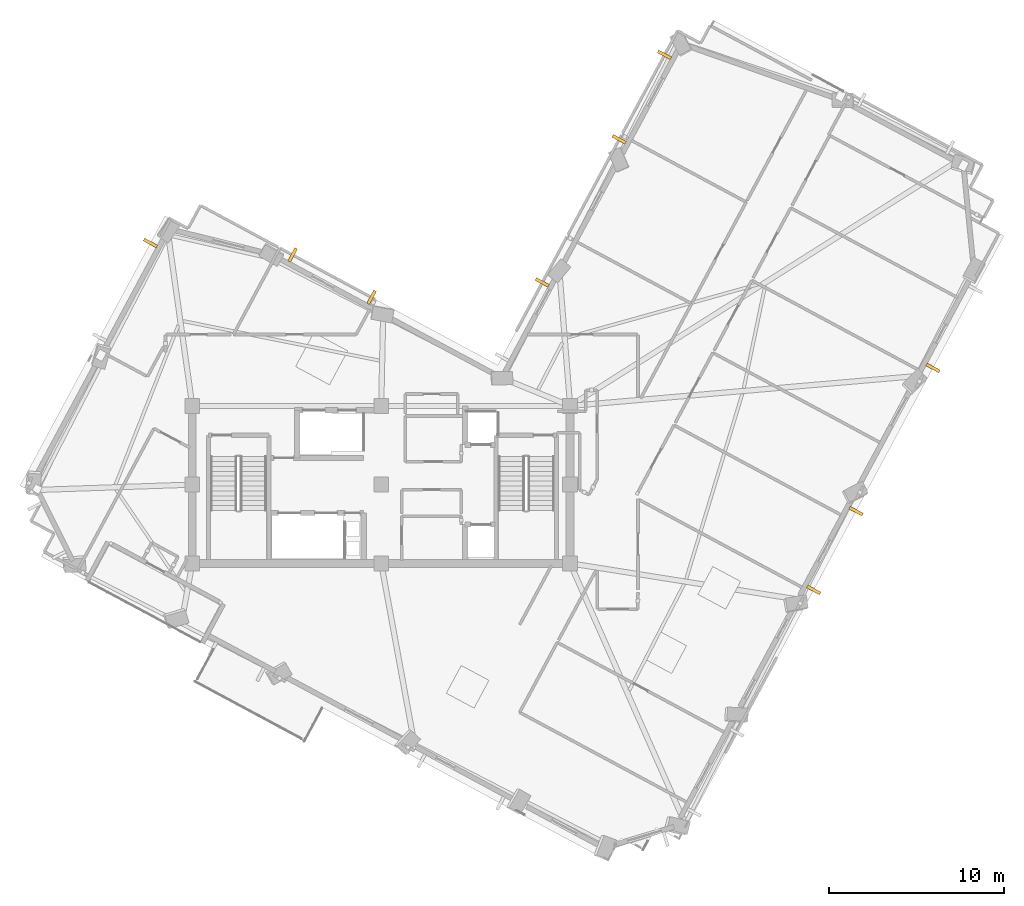
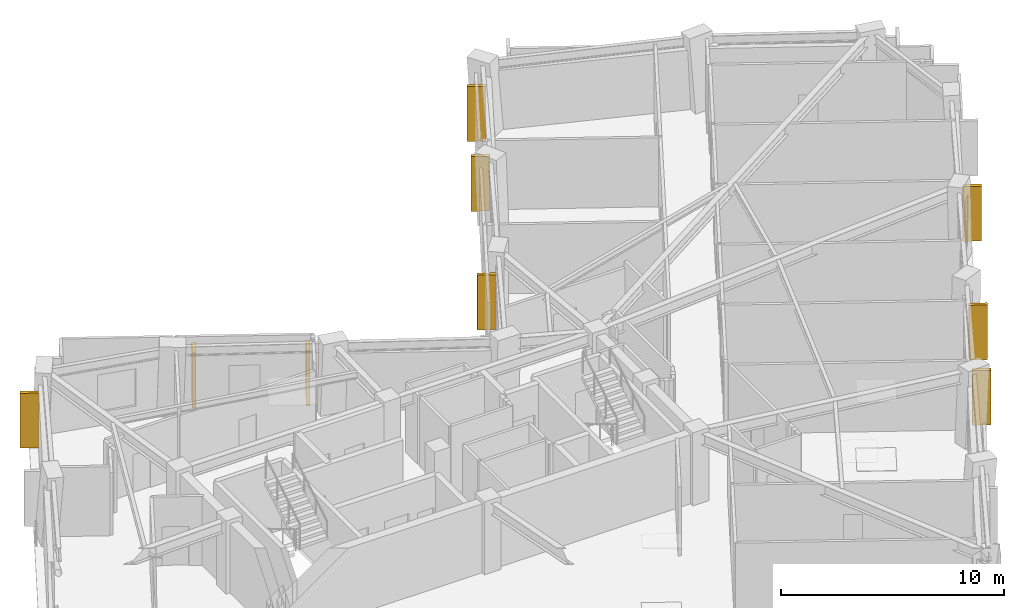
# One storey, part 13 of 14: 9 shading devices.
"""IFC4 building model written with IfcOpenShell, lengths in metres."""

from ifc_helpers import new_model, si_unit, direction, frame, origin, origin_2d, place, context, subcontext, project, spatial, rectangle, extrude, material, type_object, element, save


model = new_model("IFC4")

# Units and contexts
model_context = context("Model", 3, precision=1e-05, world=origin(), true_north=direction((0.0, 1.0)))
body_context = subcontext(model_context, "Body", "Model", "MODEL_VIEW")
ifc_project = project(units=[si_unit("LENGTHUNIT", "METRE"), si_unit("AREAUNIT", "SQUARE_METRE"), si_unit("VOLUMEUNIT", "CUBIC_METRE"), si_unit("PLANEANGLEUNIT", "RADIAN"), si_unit("MASSUNIT", "GRAM", prefix="KILO")], contexts=[model_context])

# Site, building, storey
site_placement = place(None, origin())
site = spatial("IfcSite", under=ifc_project, at=site_placement, CompositionType="ELEMENT")
building_placement = place(site_placement, origin())
building = spatial("IfcBuilding", under=site, at=building_placement, Name="Gaonmaruhae Medical Tower", CompositionType="ELEMENT")
storey_placement = place(building_placement, frame((0.0, 0.0, 288.60009765625)))
storey = spatial("IfcBuildingStorey", under=building, at=storey_placement, Name="L69", CompositionType="ELEMENT", Elevation=288.60009765625)

# Shading devices
ifc_material = material(Name="Pigmented coral precast concrete C45/55", Category="concrete")
shading_device_type = type_object("IfcShadingDeviceType", Name="SD-FIN1 Tower Vertical Coral Precast Shading Fin", PredefinedType="USERDEFINED", material=ifc_material)
for number, where, z_axis, x_axis, name in (
    (1, (51.9462890625, 10.78466796875, 0.13232421875), (0.0, 0.0, 1.0), (-0.473319667185, -0.880890738205, 0.0), "L69 Vertical Coral Precast Shading Fin S03"),
    (2, (49.526123046875, 6.2802734375, 0.13232421875), (0.0, 0.0, 1.0), (-0.473319667185, -0.880890738205, 0.0), "L69 Vertical Coral Precast Shading Fin S03B"),
    (3, (56.344482421875, 18.969970703125, 0.13232421875), (0.0, 0.0, 1.0), (-0.473319667185, -0.880890738205, 0.0), "L69 Vertical Coral Precast Shading Fin S05B"),
    (4, (38.40478515625, 32.04150390625, 0.13232421875), (0.0, 0.0, 1.0), (0.473319667185, 0.880890738205, 0.0), "L69 Vertical Coral Precast Shading Fin E03"),
    (5, (40.99853515625, 36.86865234375, 0.13232421875), (0.0, 0.0, 1.0), (0.473319667185, 0.880890738205, 0.0), "L69 Vertical Coral Precast Shading Fin E03B"),
    (6, (34.008056640625, 23.8583984375, 0.13232421875), (0.0, 0.0, 1.0), (0.473319667185, 0.880890738205, 0.0), "L69 Vertical Coral Precast Shading Fin EN02B"),
    (7, (19.734619140625, 25.43310546875, 0.13232421875), (0.0, 0.0, 1.0), (0.880890738205, -0.473319667185, 0.0), "L69 Vertical Coral Precast Shading Fin NE01"),
    (8, (24.24853515625, 23.0078125, 0.13232421875), (0.0, 0.0, 1.0), (0.880890738205, -0.473319667185, 0.0), "L69 Vertical Coral Precast Shading Fin NE01B"),
    (9, (11.607421875, 26.11376953125, 0.13232421875), (0.0, 0.0, 1.0), (0.473319667185, 0.880890738205, 0.0), "L69 Vertical Coral Precast Shading Fin N01B"),
):
    element("IfcShadingDevice", number, at=place(storey_placement, frame(where, z_axis=z_axis, x_axis=x_axis)), inside=storey, type_object=shading_device_type, Name=name, ObjectType="FIN", PredefinedType="USERDEFINED", context=body_context, shape_type="SweptSolid", body=[
        extrude(rectangle(XDim=0.179931640625, YDim=0.85009765625, at=origin_2d()), origin(), (0.0, 0.0, 1.0), 3.0),
    ])

save(model, "model.ifc")
